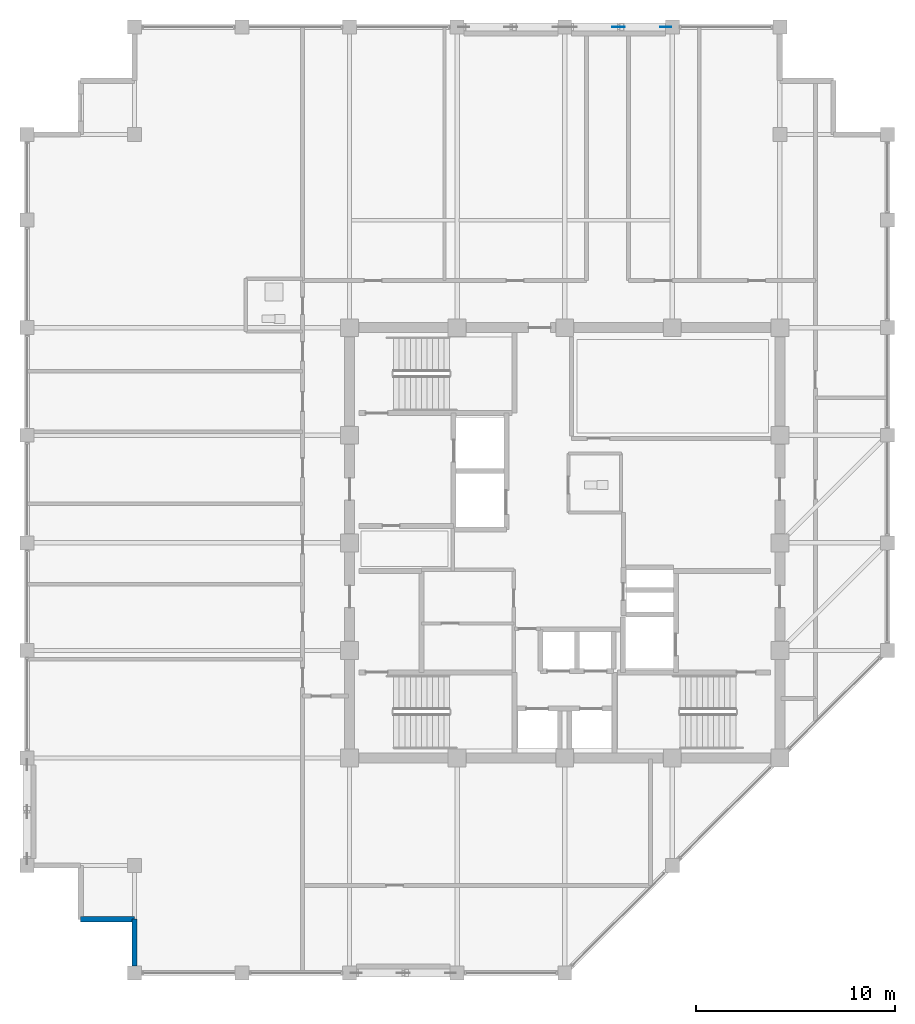
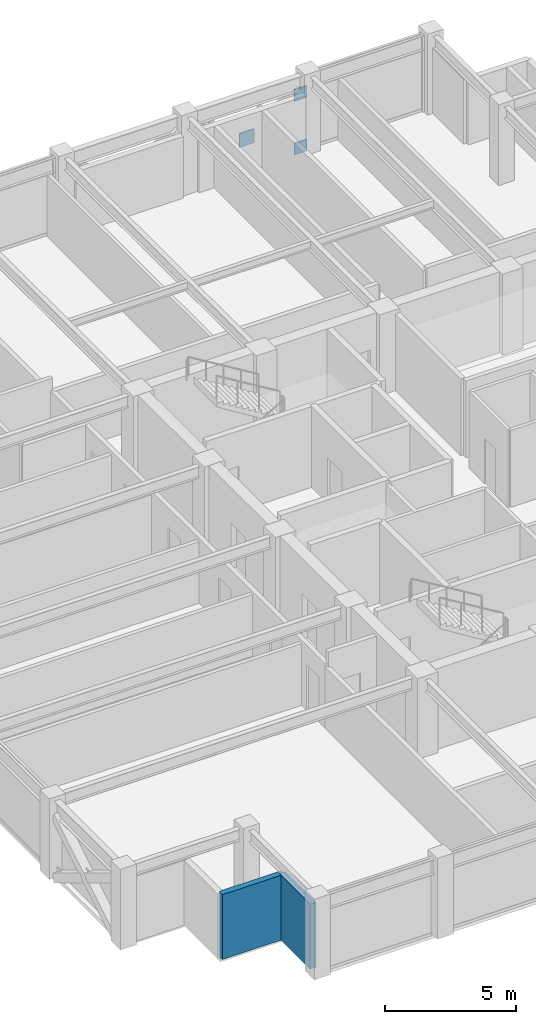
# One storey, part 25 of 30: 3 plates, 2 walls.
"""IFC4 building model written with IfcOpenShell, lengths in metres."""

from ifc_helpers import new_model, si_unit, direction, frame, frame_2d, origin, origin_2d, place, context, subcontext, project, spatial, rectangle, extrude, material, layer, layer_set, type_object, element, save


model = new_model("IFC4")

# Units and contexts
model_context = context("Model", 3, precision=1e-05, world=origin(), true_north=direction((0.0, 1.0)))
body_context = subcontext(model_context, "Body", "Model", "MODEL_VIEW")
ifc_project = project(units=[si_unit("LENGTHUNIT", "METRE"), si_unit("AREAUNIT", "SQUARE_METRE"), si_unit("VOLUMEUNIT", "CUBIC_METRE"), si_unit("PLANEANGLEUNIT", "RADIAN"), si_unit("MASSUNIT", "GRAM", prefix="KILO")], contexts=[model_context])

# Site, building, storey
site_placement = place(None, origin())
site = spatial("IfcSite", under=ifc_project, at=site_placement, CompositionType="ELEMENT")
building_placement = place(site_placement, origin())
building = spatial("IfcBuilding", under=site, at=building_placement, Name="Surkhivell Harbour Commons", CompositionType="ELEMENT")
storey_placement = place(building_placement, frame((0.0, 0.0, 292.5)))
storey = spatial("IfcBuildingStorey", under=building, at=storey_placement, Name="L76", CompositionType="ELEMENT", Elevation=292.5)

# Plates
ifc_material_1 = material(Name="Steel S460", Category="steel")
ifc_layer_1 = layer(ifc_material_1, 0.035888671875)
ifc_layer_set_1 = layer_set([ifc_layer_1], Name="Steel S460")
plate_type_1 = type_object("IfcPlateType", Name="PLT-GUS-550", PredefinedType="USERDEFINED", material=ifc_layer_set_1)
for number, where, z_axis, x_axis, name in (
    (1, (5.06494140625, 25.89990234375, -0.07470703125), (0.0, 0.0, 1.0), (1.0, 0.0, 0.0), "L76 Perimeter Mega-Brace MB- Corner Gusset N2-2"),
    (2, (5.06494140625, 25.89990234375, 2.41357421875), (0.0, 0.0, 1.0), (1.0, 0.0, 0.0), "L76 Perimeter Mega-Brace MB- Corner Gusset N2-4"),
):
    element("IfcPlate", number, at=place(storey_placement, frame(where, z_axis=z_axis, x_axis=x_axis)), inside=storey, type_object=plate_type_1, Name=name, ObjectType="GUSSET_PLATE", PredefinedType="USERDEFINED", context=body_context, shape_type="SweptSolid", body=[
        extrude(rectangle(XDim=0.550048828125, YDim=0.035888671875, at=origin_2d()), origin(), (0.0, 0.0, 1.0), 0.550048828125),
    ])
ifc_layer_2 = layer(ifc_material_1, 0.044921875)
ifc_layer_set_2 = layer_set([ifc_layer_2], Name="Steel S460")
plate_type_2 = type_object("IfcPlateType", Name="PLT-GUS-650", PredefinedType="USERDEFINED", material=ifc_layer_set_2)
plate_placement = place(storey_placement, frame((2.699951171875, 25.89990234375, 1.11962890625), z_axis=(0.0, 0.0, 1.0), x_axis=(1.0, 0.0, 0.0)))
element("IfcPlate", 3, at=plate_placement, inside=storey, type_object=plate_type_2, Name="L76 Perimeter Mega-Brace MB- Central Crossing Gusset N2", ObjectType="GUSSET_PLATE", PredefinedType="USERDEFINED", context=body_context, shape_type="SweptSolid", body=[
    extrude(rectangle(XDim=0.64990234375, YDim=0.044921875, at=origin_2d()), origin(), (0.0, 0.0, 1.0), 0.64990234375),
])

# Walls
ifc_material_2 = material(Name="Pale-metal insulated precast concrete C45/55", Category="concrete")
ifc_layer_3 = layer(ifc_material_2, 0.260009765625)
ifc_layer_set_3 = layer_set([ifc_layer_3], Name="Pale-metal insulated precast concrete C45/55")
wall_type = type_object("IfcWallType", Name="WAL-EXT-MTL260", PredefinedType="STANDARD", material=ifc_layer_set_3)
wall_1_placement = place(storey_placement, frame((-24.300048828125, -18.89990234375, 0.0), z_axis=(0.0, 0.0, 1.0), x_axis=(1.0, 0.0, 0.0)))
element("IfcWall", 4, at=wall_1_placement, inside=storey, type_object=wall_type, Name="L76 Serrated Corner Facade Wall 15", PredefinedType="STANDARD", context=body_context, shape_type="SweptSolid", body=[
    extrude(rectangle(XDim=2.699951171875, YDim=0.260009765625, at=frame_2d((1.35009765625, 0.0))), origin(), (0.0, 0.0, 1.0), 3.012939453125),
])
wall_2_placement = place(storey_placement, frame((-21.60009765625, -18.89990234375, 0.0), z_axis=(0.0, 0.0, 1.0), x_axis=(0.0, -1.0, 0.0)))
element("IfcWall", 5, at=wall_2_placement, inside=storey, type_object=wall_type, Name="L76 Serrated Corner Facade Wall 16", PredefinedType="STANDARD", context=body_context, shape_type="SweptSolid", body=[
    extrude(rectangle(XDim=2.35205078125, YDim=0.260009765625, at=frame_2d((1.176025390625, 0.0))), origin(), (0.0, 0.0, 1.0), 3.012939453125),
])

save(model, "model.ifc")
